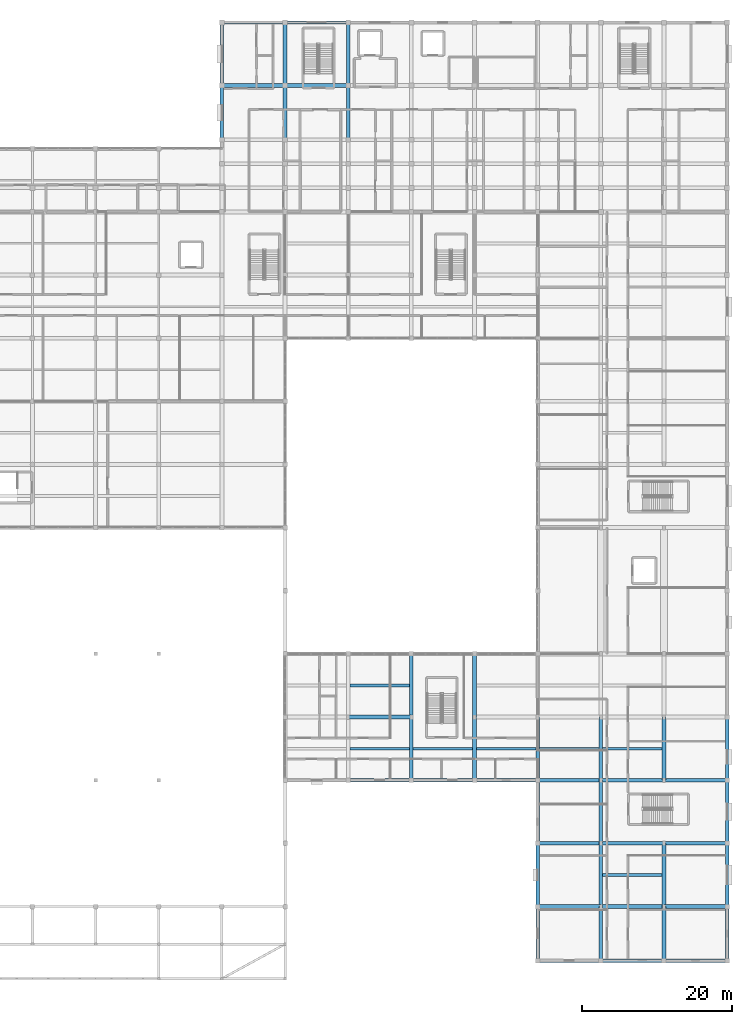
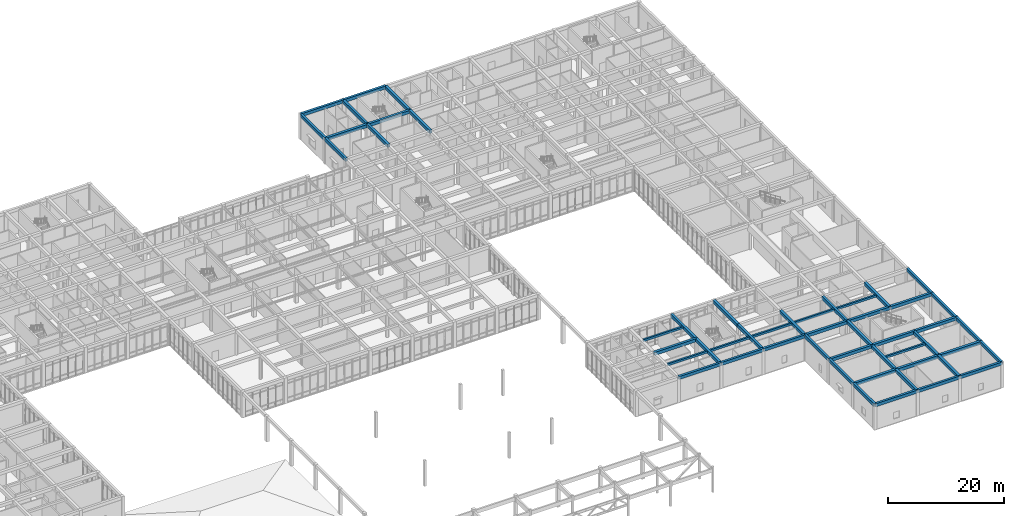
# One storey, part 31 of 89: 52 beams.
"""IFC4 building model written with IfcOpenShell, lengths in metres."""

from ifc_helpers import new_model, si_unit, direction, frame, origin, origin_2d, place, context, subcontext, project, spatial, rectangle, extrude, material, material_profile, profile_set, type_object, element, save


model = new_model("IFC4")

# Units and contexts
model_context = context("Model", 3, precision=1e-05, world=origin(), true_north=direction((0.0, 1.0)))
body_context = subcontext(model_context, "Body", "Model", "MODEL_VIEW")
ifc_project = project(units=[si_unit("LENGTHUNIT", "METRE"), si_unit("AREAUNIT", "SQUARE_METRE"), si_unit("VOLUMEUNIT", "CUBIC_METRE"), si_unit("PLANEANGLEUNIT", "RADIAN"), si_unit("MASSUNIT", "GRAM", prefix="KILO")], contexts=[model_context])

# Site, building, storey
site_placement = place(None, origin())
site = spatial("IfcSite", under=ifc_project, at=site_placement, CompositionType="ELEMENT")
building_placement = place(site_placement, origin())
building = spatial("IfcBuilding", under=site, at=building_placement, Name="Varncliffe General Hospital", CompositionType="ELEMENT")
storey_placement = place(building_placement, frame((0.0, 0.0, 10.800048828125)))
storey = spatial("IfcBuildingStorey", under=building, at=storey_placement, Name="L02", CompositionType="ELEMENT", Elevation=10.800048828125)

# Beams
ifc_material = material(Name="Concrete C35/45 (CSA A23.1 35 MPa)", Category="concrete")
ifc_material_profile_1 = material_profile(ifc_material, rectangle(XDim=0.5, YDim=0.64990234375, at=origin_2d()), Name="RC 500x650")
ifc_profile_set_1 = profile_set([ifc_material_profile_1], Name="Concrete C35/45 (CSA A23.1 35 MPa)")
beam_type_1 = type_object("IfcBeamType", Name="Beam B29 (Int RC 500x650)", PredefinedType="BEAM", material=ifc_profile_set_1)
beam_1_placement = place(storey_placement, frame((151.199951171875, 7.199951171875, 5.074951171875), z_axis=(1.0, 0.0, 0.0), x_axis=(0.0, 1.0, 0.0)))
element("IfcBeam", 1, at=beam_1_placement, inside=storey, type_object=beam_type_1, Name="L02 Primary Beam B29-22", PredefinedType="BEAM", context=body_context, shape_type="SweptSolid", body=[
    extrude(rectangle(XDim=0.5, YDim=0.64990234375, at=origin_2d()), origin(), (0.0, 0.0, 1.0), 8.400146484375),
])
for number, where, z_axis, x_axis, name in (
    (2, (159.60009765625, 7.199951171875, 5.074951171875), (1.0, 0.0, 0.0), (0.0, 1.0, 0.0), "L02 Primary Beam B29-23"),
    (3, (168.0, 7.199951171875, 5.074951171875), (1.0, 0.0, 0.0), (0.0, 1.0, 0.0), "L02 Primary Beam B29-24"),
):
    element("IfcBeam", number, at=place(storey_placement, frame(where, z_axis=z_axis, x_axis=x_axis)), inside=storey, type_object=beam_type_1, Name=name, PredefinedType="BEAM", context=body_context, shape_type="SweptSolid", body=[
        extrude(rectangle(XDim=0.5, YDim=0.64990234375, at=origin_2d()), origin(), (0.0, 0.0, 1.0), 8.39990234375),
    ])
beam_2_placement = place(storey_placement, frame((151.199951171875, 15.60009765625, 5.074951171875), z_axis=(1.0, 0.0, 0.0), x_axis=(0.0, 1.0, 0.0)))
element("IfcBeam", 4, at=beam_2_placement, inside=storey, type_object=beam_type_1, Name="L02 Primary Beam B29-25", PredefinedType="BEAM", context=body_context, shape_type="SweptSolid", body=[
    extrude(rectangle(XDim=0.5, YDim=0.64990234375, at=origin_2d()), origin(), (0.0, 0.0, 1.0), 8.400146484375),
])
for number, where, z_axis, x_axis, name in (
    (5, (159.60009765625, 15.60009765625, 5.074951171875), (1.0, 0.0, 0.0), (0.0, 1.0, 0.0), "L02 Primary Beam B29-26"),
    (6, (168.0, 15.60009765625, 5.074951171875), (1.0, 0.0, 0.0), (0.0, 1.0, 0.0), "L02 Primary Beam B29-27"),
):
    element("IfcBeam", number, at=place(storey_placement, frame(where, z_axis=z_axis, x_axis=x_axis)), inside=storey, type_object=beam_type_1, Name=name, PredefinedType="BEAM", context=body_context, shape_type="SweptSolid", body=[
        extrude(rectangle(XDim=0.5, YDim=0.64990234375, at=origin_2d()), origin(), (0.0, 0.0, 1.0), 8.39990234375),
    ])
beam_3_placement = place(storey_placement, frame((151.199951171875, 24.0, 5.074951171875), z_axis=(1.0, 0.0, 0.0), x_axis=(0.0, 1.0, 0.0)))
element("IfcBeam", 7, at=beam_3_placement, inside=storey, type_object=beam_type_1, Name="L02 Primary Beam B29-32", PredefinedType="BEAM", context=body_context, shape_type="SweptSolid", body=[
    extrude(rectangle(XDim=0.5, YDim=0.64990234375, at=origin_2d()), origin(), (0.0, 0.0, 1.0), 8.400146484375),
])
for number, where, z_axis, x_axis, name in (
    (8, (159.60009765625, 24.0, 5.074951171875), (1.0, 0.0, 0.0), (0.0, 1.0, 0.0), "L02 Primary Beam B29-33"),
    (9, (168.0, 24.0, 5.074951171875), (1.0, 0.0, 0.0), (0.0, 1.0, 0.0), "L02 Primary Beam B29-34"),
    (10, (126.0, 32.39990234375, 5.074951171875), (1.0, 0.0, 0.0), (0.0, 1.0, 0.0), "L02 Primary Beam B29-36"),
):
    element("IfcBeam", number, at=place(storey_placement, frame(where, z_axis=z_axis, x_axis=x_axis)), inside=storey, type_object=beam_type_1, Name=name, PredefinedType="BEAM", context=body_context, shape_type="SweptSolid", body=[
        extrude(rectangle(XDim=0.5, YDim=0.64990234375, at=origin_2d()), origin(), (0.0, 0.0, 1.0), 8.39990234375),
    ])
beam_4_placement = place(storey_placement, frame((109.199951171875, 116.39990234375, 5.074951171875), z_axis=(1.0, 0.0, 0.0), x_axis=(0.0, 1.0, 0.0)))
element("IfcBeam", 11, at=beam_4_placement, inside=storey, type_object=beam_type_1, Name="L02 Primary Beam B29-216", PredefinedType="BEAM", context=body_context, shape_type="SweptSolid", body=[
    extrude(rectangle(XDim=0.5, YDim=0.64990234375, at=origin_2d()), origin(), (0.0, 0.0, 1.0), 8.400146484375),
])
beam_5_placement = place(storey_placement, frame((117.60009765625, 116.39990234375, 5.074951171875), z_axis=(1.0, 0.0, 0.0), x_axis=(0.0, 1.0, 0.0)))
element("IfcBeam", 12, at=beam_5_placement, inside=storey, type_object=beam_type_1, Name="L02 Primary Beam B29-217", PredefinedType="BEAM", context=body_context, shape_type="SweptSolid", body=[
    extrude(rectangle(XDim=0.5, YDim=0.64990234375, at=origin_2d()), origin(), (0.0, 0.0, 1.0), 8.39990234375),
])
beam_6_placement = place(storey_placement, frame((117.60009765625, 109.199951171875, 5.074951171875), z_axis=(0.0, 1.0, 0.0), x_axis=(-1.0, 0.0, 0.0)))
element("IfcBeam", 13, at=beam_6_placement, inside=storey, type_object=beam_type_1, Name="L02 Primary Beam B29-400", PredefinedType="BEAM", context=body_context, shape_type="SweptSolid", body=[
    extrude(rectangle(XDim=0.5, YDim=0.64990234375, at=origin_2d()), origin(), (0.0, 0.0, 1.0), 7.199951171875),
])
beam_7_placement = place(storey_placement, frame((117.60009765625, 116.39990234375, 5.074951171875), z_axis=(0.0, 1.0, 0.0), x_axis=(-1.0, 0.0, 0.0)))
element("IfcBeam", 14, at=beam_7_placement, inside=storey, type_object=beam_type_1, Name="L02 Primary Beam B29-401", PredefinedType="BEAM", context=body_context, shape_type="SweptSolid", body=[
    extrude(rectangle(XDim=0.5, YDim=0.64990234375, at=origin_2d()), origin(), (0.0, 0.0, 1.0), 8.400146484375),
])
beam_8_placement = place(storey_placement, frame((126.0, 109.199951171875, 5.074951171875), z_axis=(0.0, 1.0, 0.0), x_axis=(-1.0, 0.0, 0.0)))
element("IfcBeam", 15, at=beam_8_placement, inside=storey, type_object=beam_type_1, Name="L02 Primary Beam B29-409", PredefinedType="BEAM", context=body_context, shape_type="SweptSolid", body=[
    extrude(rectangle(XDim=0.5, YDim=0.64990234375, at=origin_2d()), origin(), (0.0, 0.0, 1.0), 7.199951171875),
])
beam_9_placement = place(storey_placement, frame((126.0, 116.39990234375, 5.074951171875), z_axis=(0.0, 1.0, 0.0), x_axis=(-1.0, 0.0, 0.0)))
element("IfcBeam", 16, at=beam_9_placement, inside=storey, type_object=beam_type_1, Name="L02 Primary Beam B29-410", PredefinedType="BEAM", context=body_context, shape_type="SweptSolid", body=[
    extrude(rectangle(XDim=0.5, YDim=0.64990234375, at=origin_2d()), origin(), (0.0, 0.0, 1.0), 8.400146484375),
])
beam_10_placement = place(storey_placement, frame((134.39990234375, 24.0, 5.074951171875), z_axis=(0.0, 1.0, 0.0), x_axis=(-1.0, 0.0, 0.0)))
element("IfcBeam", 17, at=beam_10_placement, inside=storey, type_object=beam_type_1, Name="L02 Primary Beam B29-411", PredefinedType="BEAM", context=body_context, shape_type="SweptSolid", body=[
    extrude(rectangle(XDim=0.5, YDim=0.64990234375, at=origin_2d()), origin(), (0.0, 0.0, 1.0), 8.39990234375),
])
beam_11_placement = place(storey_placement, frame((134.39990234375, 32.39990234375, 5.074951171875), z_axis=(0.0, 1.0, 0.0), x_axis=(-1.0, 0.0, 0.0)))
element("IfcBeam", 18, at=beam_11_placement, inside=storey, type_object=beam_type_1, Name="L02 Primary Beam B29-412", PredefinedType="BEAM", context=body_context, shape_type="SweptSolid", body=[
    extrude(rectangle(XDim=0.5, YDim=0.64990234375, at=origin_2d()), origin(), (0.0, 0.0, 1.0), 8.400146484375),
])
beam_12_placement = place(storey_placement, frame((142.800048828125, 24.0, 5.074951171875), z_axis=(0.0, 1.0, 0.0), x_axis=(-1.0, 0.0, 0.0)))
element("IfcBeam", 19, at=beam_12_placement, inside=storey, type_object=beam_type_1, Name="L02 Primary Beam B29-420", PredefinedType="BEAM", context=body_context, shape_type="SweptSolid", body=[
    extrude(rectangle(XDim=0.5, YDim=0.64990234375, at=origin_2d()), origin(), (0.0, 0.0, 1.0), 8.39990234375),
])
beam_13_placement = place(storey_placement, frame((142.800048828125, 32.39990234375, 5.074951171875), z_axis=(0.0, 1.0, 0.0), x_axis=(-1.0, 0.0, 0.0)))
element("IfcBeam", 20, at=beam_13_placement, inside=storey, type_object=beam_type_1, Name="L02 Primary Beam B29-421", PredefinedType="BEAM", context=body_context, shape_type="SweptSolid", body=[
    extrude(rectangle(XDim=0.5, YDim=0.64990234375, at=origin_2d()), origin(), (0.0, 0.0, 1.0), 8.400146484375),
])
beam_14_placement = place(storey_placement, frame((151.199951171875, 24.0, 5.074951171875), z_axis=(0.0, 1.0, 0.0), x_axis=(-1.0, 0.0, 0.0)))
element("IfcBeam", 21, at=beam_14_placement, inside=storey, type_object=beam_type_1, Name="L02 Primary Beam B29-432", PredefinedType="BEAM", context=body_context, shape_type="SweptSolid", body=[
    extrude(rectangle(XDim=0.5, YDim=0.64990234375, at=origin_2d()), origin(), (0.0, 0.0, 1.0), 8.39990234375),
])
beam_15_placement = place(storey_placement, frame((159.60009765625, 0.0, 5.074951171875), z_axis=(0.0, 1.0, 0.0), x_axis=(-1.0, 0.0, 0.0)))
element("IfcBeam", 22, at=beam_15_placement, inside=storey, type_object=beam_type_1, Name="L02 Primary Beam B29-446", PredefinedType="BEAM", context=body_context, shape_type="SweptSolid", body=[
    extrude(rectangle(XDim=0.5, YDim=0.64990234375, at=origin_2d()), origin(), (0.0, 0.0, 1.0), 7.199951171875),
])
beam_16_placement = place(storey_placement, frame((159.60009765625, 7.199951171875, 5.074951171875), z_axis=(0.0, 1.0, 0.0), x_axis=(-1.0, 0.0, 0.0)))
element("IfcBeam", 23, at=beam_16_placement, inside=storey, type_object=beam_type_1, Name="L02 Primary Beam B29-447", PredefinedType="BEAM", context=body_context, shape_type="SweptSolid", body=[
    extrude(rectangle(XDim=0.5, YDim=0.64990234375, at=origin_2d()), origin(), (0.0, 0.0, 1.0), 8.400146484375),
])
for number, where, z_axis, x_axis, name in (
    (24, (159.60009765625, 15.60009765625, 5.074951171875), (0.0, 1.0, 0.0), (-1.0, 0.0, 0.0), "L02 Primary Beam B29-448"),
    (25, (159.60009765625, 24.0, 5.074951171875), (0.0, 1.0, 0.0), (-1.0, 0.0, 0.0), "L02 Primary Beam B29-449"),
):
    element("IfcBeam", number, at=place(storey_placement, frame(where, z_axis=z_axis, x_axis=x_axis)), inside=storey, type_object=beam_type_1, Name=name, PredefinedType="BEAM", context=body_context, shape_type="SweptSolid", body=[
        extrude(rectangle(XDim=0.5, YDim=0.64990234375, at=origin_2d()), origin(), (0.0, 0.0, 1.0), 8.39990234375),
    ])
beam_17_placement = place(storey_placement, frame((168.0, 0.0, 5.074951171875), z_axis=(0.0, 1.0, 0.0), x_axis=(-1.0, 0.0, 0.0)))
element("IfcBeam", 26, at=beam_17_placement, inside=storey, type_object=beam_type_1, Name="L02 Primary Beam B29-462", PredefinedType="BEAM", context=body_context, shape_type="SweptSolid", body=[
    extrude(rectangle(XDim=0.5, YDim=0.64990234375, at=origin_2d()), origin(), (0.0, 0.0, 1.0), 7.199951171875),
])
beam_18_placement = place(storey_placement, frame((168.0, 7.199951171875, 5.074951171875), z_axis=(0.0, 1.0, 0.0), x_axis=(-1.0, 0.0, 0.0)))
element("IfcBeam", 27, at=beam_18_placement, inside=storey, type_object=beam_type_1, Name="L02 Primary Beam B29-463", PredefinedType="BEAM", context=body_context, shape_type="SweptSolid", body=[
    extrude(rectangle(XDim=0.5, YDim=0.64990234375, at=origin_2d()), origin(), (0.0, 0.0, 1.0), 8.400146484375),
])
beam_19_placement = place(storey_placement, frame((168.0, 24.0, 5.074951171875), z_axis=(0.0, 1.0, 0.0), x_axis=(-1.0, 0.0, 0.0)))
element("IfcBeam", 28, at=beam_19_placement, inside=storey, type_object=beam_type_1, Name="L02 Primary Beam B29-464", PredefinedType="BEAM", context=body_context, shape_type="SweptSolid", body=[
    extrude(rectangle(XDim=0.5, YDim=0.64990234375, at=origin_2d()), origin(), (0.0, 0.0, 1.0), 8.39990234375),
])
ifc_material_profile_2 = material_profile(ifc_material, rectangle(XDim=0.35009765625, YDim=0.449951171875, at=origin_2d()), Name="RC 350x450")
ifc_profile_set_2 = profile_set([ifc_material_profile_2], Name="Concrete C35/45 (CSA A23.1 35 MPa)")
beam_type_2 = type_object("IfcBeamType", Name="Joist J55 (Int RC 350x450)", PredefinedType="JOIST", material=ifc_profile_set_2)
for number, where, z_axis, x_axis, name in (
    (29, (126.248046875, 28.199951171875, 5.175048828125), (1.0, 0.0, 0.0), (0.0, 1.0, 0.0), "L02 Secondary Floor Rib J55-49"),
    (30, (126.248046875, 36.60009765625, 5.175048828125), (1.0, 0.0, 0.0), (0.0, 1.0, 0.0), "L02 Secondary Floor Rib J55-50"),
    (31, (134.64794921875, 28.199951171875, 5.175048828125), (1.0, 0.0, 0.0), (0.0, 1.0, 0.0), "L02 Secondary Floor Rib J55-53"),
):
    element("IfcBeam", number, at=place(storey_placement, frame(where, z_axis=z_axis, x_axis=x_axis)), inside=storey, type_object=beam_type_2, Name=name, PredefinedType="JOIST", context=body_context, shape_type="SweptSolid", body=[
        extrude(rectangle(XDim=0.35009765625, YDim=0.449951171875, at=origin_2d()), origin(), (0.0, 0.0, 1.0), 7.904052734375),
    ])
beam_20_placement = place(storey_placement, frame((143.048095703125, 28.199951171875, 5.175048828125), z_axis=(1.0, 0.0, 0.0), x_axis=(0.0, 1.0, 0.0)))
element("IfcBeam", 32, at=beam_20_placement, inside=storey, type_object=beam_type_2, Name="L02 Secondary Floor Rib J55-55", PredefinedType="JOIST", context=body_context, shape_type="SweptSolid", body=[
    extrude(rectangle(XDim=0.35009765625, YDim=0.449951171875, at=origin_2d()), origin(), (0.0, 0.0, 1.0), 7.90380859375),
])
for number, where, z_axis, x_axis, name in (
    (33, (151.447998046875, 28.199951171875, 5.175048828125), (1.0, 0.0, 0.0), (0.0, 1.0, 0.0), "L02 Secondary Floor Rib J55-59"),
    (34, (159.847900390625, 11.39990234375, 5.175048828125), (1.0, 0.0, 0.0), (0.0, 1.0, 0.0), "L02 Secondary Floor Rib J55-63"),
    (35, (159.847900390625, 28.199951171875, 5.175048828125), (1.0, 0.0, 0.0), (0.0, 1.0, 0.0), "L02 Secondary Floor Rib J55-64"),
):
    element("IfcBeam", number, at=place(storey_placement, frame(where, z_axis=z_axis, x_axis=x_axis)), inside=storey, type_object=beam_type_2, Name=name, PredefinedType="JOIST", context=body_context, shape_type="SweptSolid", body=[
        extrude(rectangle(XDim=0.35009765625, YDim=0.449951171875, at=origin_2d()), origin(), (0.0, 0.0, 1.0), 7.904052734375),
    ])
ifc_material_profile_3 = material_profile(ifc_material, rectangle(XDim=0.449951171875, YDim=0.64990234375, at=origin_2d()), Name="RC 450x650")
ifc_profile_set_3 = profile_set([ifc_material_profile_3], Name="Concrete C35/45 (CSA A23.1 35 MPa)")
beam_type_3 = type_object("IfcBeamType", Name="Spandrel SP38 (Ext RC 450x650B)", PredefinedType="SPANDREL", material=ifc_profile_set_3)
beam_21_placement = place(storey_placement, frame((151.199951171875, 0.0, 5.074951171875), z_axis=(1.0, 0.0, 0.0), x_axis=(0.0, 1.0, 0.0)))
element("IfcBeam", 36, at=beam_21_placement, inside=storey, type_object=beam_type_3, Name="L02 Spandrel Beam SP38-5", PredefinedType="SPANDREL", context=body_context, shape_type="SweptSolid", body=[
    extrude(rectangle(XDim=0.449951171875, YDim=0.64990234375, at=origin_2d()), origin(), (0.0, 0.0, 1.0), 8.400146484375),
])
for number, where, z_axis, x_axis, name in (
    (37, (159.60009765625, 0.0, 5.074951171875), (1.0, 0.0, 0.0), (0.0, 1.0, 0.0), "L02 Spandrel Beam SP38-6"),
    (38, (168.0, 0.0, 5.074951171875), (1.0, 0.0, 0.0), (0.0, 1.0, 0.0), "L02 Spandrel Beam SP38-7"),
    (39, (126.0, 24.0, 5.074951171875), (1.0, 0.0, 0.0), (0.0, 1.0, 0.0), "L02 Spandrel Beam SP38-29"),
):
    element("IfcBeam", number, at=place(storey_placement, frame(where, z_axis=z_axis, x_axis=x_axis)), inside=storey, type_object=beam_type_3, Name=name, PredefinedType="SPANDREL", context=body_context, shape_type="SweptSolid", body=[
        extrude(rectangle(XDim=0.449951171875, YDim=0.64990234375, at=origin_2d()), origin(), (0.0, 0.0, 1.0), 8.39990234375),
    ])
beam_22_placement = place(storey_placement, frame((134.39990234375, 24.0, 5.074951171875), z_axis=(1.0, 0.0, 0.0), x_axis=(0.0, 1.0, 0.0)))
element("IfcBeam", 40, at=beam_22_placement, inside=storey, type_object=beam_type_3, Name="L02 Spandrel Beam SP38-30", PredefinedType="SPANDREL", context=body_context, shape_type="SweptSolid", body=[
    extrude(rectangle(XDim=0.449951171875, YDim=0.64990234375, at=origin_2d()), origin(), (0.0, 0.0, 1.0), 8.400146484375),
])
beam_23_placement = place(storey_placement, frame((142.800048828125, 24.0, 5.074951171875), z_axis=(1.0, 0.0, 0.0), x_axis=(0.0, 1.0, 0.0)))
element("IfcBeam", 41, at=beam_23_placement, inside=storey, type_object=beam_type_3, Name="L02 Spandrel Beam SP38-31", PredefinedType="SPANDREL", context=body_context, shape_type="SweptSolid", body=[
    extrude(rectangle(XDim=0.449951171875, YDim=0.64990234375, at=origin_2d()), origin(), (0.0, 0.0, 1.0), 8.39990234375),
])
beam_24_placement = place(storey_placement, frame((109.199951171875, 124.800048828125, 5.074951171875), z_axis=(1.0, 0.0, 0.0), x_axis=(0.0, 1.0, 0.0)))
element("IfcBeam", 42, at=beam_24_placement, inside=storey, type_object=beam_type_3, Name="L02 Spandrel Beam SP38-232", PredefinedType="SPANDREL", context=body_context, shape_type="SweptSolid", body=[
    extrude(rectangle(XDim=0.449951171875, YDim=0.64990234375, at=origin_2d()), origin(), (0.0, 0.0, 1.0), 8.400146484375),
])
beam_25_placement = place(storey_placement, frame((117.60009765625, 124.800048828125, 5.074951171875), z_axis=(1.0, 0.0, 0.0), x_axis=(0.0, 1.0, 0.0)))
element("IfcBeam", 43, at=beam_25_placement, inside=storey, type_object=beam_type_3, Name="L02 Spandrel Beam SP38-233", PredefinedType="SPANDREL", context=body_context, shape_type="SweptSolid", body=[
    extrude(rectangle(XDim=0.449951171875, YDim=0.64990234375, at=origin_2d()), origin(), (0.0, 0.0, 1.0), 8.39990234375),
])
beam_26_placement = place(storey_placement, frame((109.199951171875, 109.199951171875, 5.074951171875), z_axis=(0.0, 1.0, 0.0), x_axis=(-1.0, 0.0, 0.0)))
element("IfcBeam", 44, at=beam_26_placement, inside=storey, type_object=beam_type_3, Name="L02 Spandrel Beam SP38-382", PredefinedType="SPANDREL", context=body_context, shape_type="SweptSolid", body=[
    extrude(rectangle(XDim=0.449951171875, YDim=0.64990234375, at=origin_2d()), origin(), (0.0, 0.0, 1.0), 7.199951171875),
])
beam_27_placement = place(storey_placement, frame((109.199951171875, 116.39990234375, 5.074951171875), z_axis=(0.0, 1.0, 0.0), x_axis=(-1.0, 0.0, 0.0)))
element("IfcBeam", 45, at=beam_27_placement, inside=storey, type_object=beam_type_3, Name="L02 Spandrel Beam SP38-383", PredefinedType="SPANDREL", context=body_context, shape_type="SweptSolid", body=[
    extrude(rectangle(XDim=0.449951171875, YDim=0.64990234375, at=origin_2d()), origin(), (0.0, 0.0, 1.0), 8.400146484375),
])
beam_28_placement = place(storey_placement, frame((151.199951171875, 0.0, 5.074951171875), z_axis=(0.0, 1.0, 0.0), x_axis=(-1.0, 0.0, 0.0)))
element("IfcBeam", 46, at=beam_28_placement, inside=storey, type_object=beam_type_3, Name="L02 Spandrel Beam SP38-429", PredefinedType="SPANDREL", context=body_context, shape_type="SweptSolid", body=[
    extrude(rectangle(XDim=0.449951171875, YDim=0.64990234375, at=origin_2d()), origin(), (0.0, 0.0, 1.0), 7.199951171875),
])
beam_29_placement = place(storey_placement, frame((151.199951171875, 7.199951171875, 5.074951171875), z_axis=(0.0, 1.0, 0.0), x_axis=(-1.0, 0.0, 0.0)))
element("IfcBeam", 47, at=beam_29_placement, inside=storey, type_object=beam_type_3, Name="L02 Spandrel Beam SP38-430", PredefinedType="SPANDREL", context=body_context, shape_type="SweptSolid", body=[
    extrude(rectangle(XDim=0.449951171875, YDim=0.64990234375, at=origin_2d()), origin(), (0.0, 0.0, 1.0), 8.400146484375),
])
beam_30_placement = place(storey_placement, frame((151.199951171875, 15.60009765625, 5.074951171875), z_axis=(0.0, 1.0, 0.0), x_axis=(-1.0, 0.0, 0.0)))
element("IfcBeam", 48, at=beam_30_placement, inside=storey, type_object=beam_type_3, Name="L02 Spandrel Beam SP38-431", PredefinedType="SPANDREL", context=body_context, shape_type="SweptSolid", body=[
    extrude(rectangle(XDim=0.449951171875, YDim=0.64990234375, at=origin_2d()), origin(), (0.0, 0.0, 1.0), 8.39990234375),
])
beam_31_placement = place(storey_placement, frame((176.39990234375, 0.0, 5.074951171875), z_axis=(0.0, 1.0, 0.0), x_axis=(-1.0, 0.0, 0.0)))
element("IfcBeam", 49, at=beam_31_placement, inside=storey, type_object=beam_type_3, Name="L02 Spandrel Beam SP38-476", PredefinedType="SPANDREL", context=body_context, shape_type="SweptSolid", body=[
    extrude(rectangle(XDim=0.449951171875, YDim=0.64990234375, at=origin_2d()), origin(), (0.0, 0.0, 1.0), 7.199951171875),
])
beam_32_placement = place(storey_placement, frame((176.39990234375, 7.199951171875, 5.074951171875), z_axis=(0.0, 1.0, 0.0), x_axis=(-1.0, 0.0, 0.0)))
element("IfcBeam", 50, at=beam_32_placement, inside=storey, type_object=beam_type_3, Name="L02 Spandrel Beam SP38-477", PredefinedType="SPANDREL", context=body_context, shape_type="SweptSolid", body=[
    extrude(rectangle(XDim=0.449951171875, YDim=0.64990234375, at=origin_2d()), origin(), (0.0, 0.0, 1.0), 8.400146484375),
])
for number, where, z_axis, x_axis, name in (
    (51, (176.39990234375, 15.60009765625, 5.074951171875), (0.0, 1.0, 0.0), (-1.0, 0.0, 0.0), "L02 Spandrel Beam SP38-478"),
    (52, (176.39990234375, 24.0, 5.074951171875), (0.0, 1.0, 0.0), (-1.0, 0.0, 0.0), "L02 Spandrel Beam SP38-479"),
):
    element("IfcBeam", number, at=place(storey_placement, frame(where, z_axis=z_axis, x_axis=x_axis)), inside=storey, type_object=beam_type_3, Name=name, PredefinedType="SPANDREL", context=body_context, shape_type="SweptSolid", body=[
        extrude(rectangle(XDim=0.449951171875, YDim=0.64990234375, at=origin_2d()), origin(), (0.0, 0.0, 1.0), 8.39990234375),
    ])

save(model, "model.ifc")
